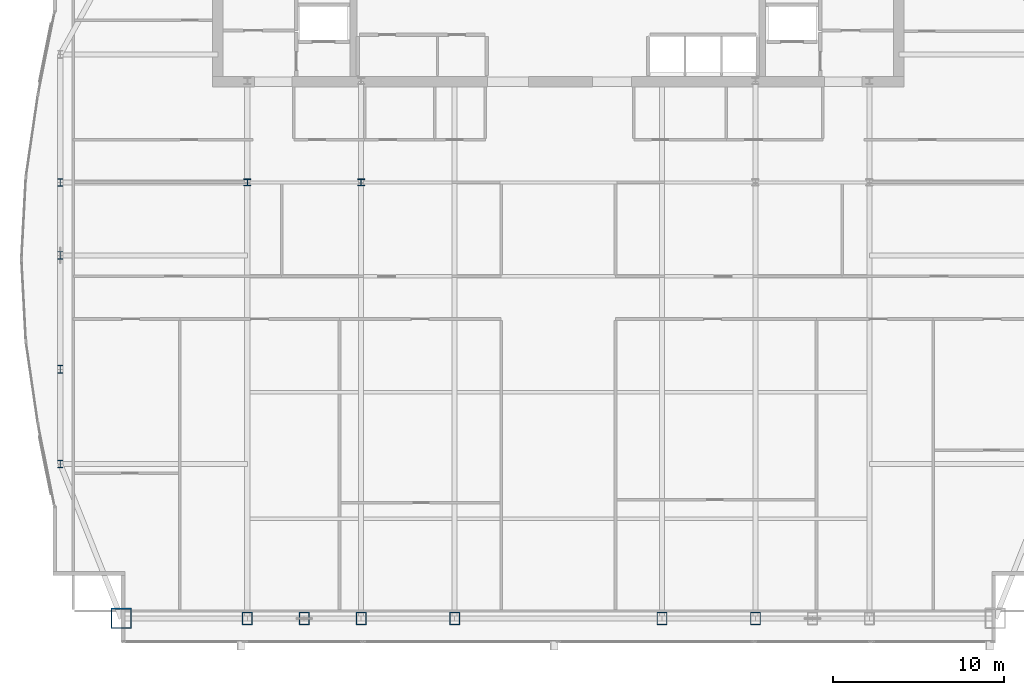
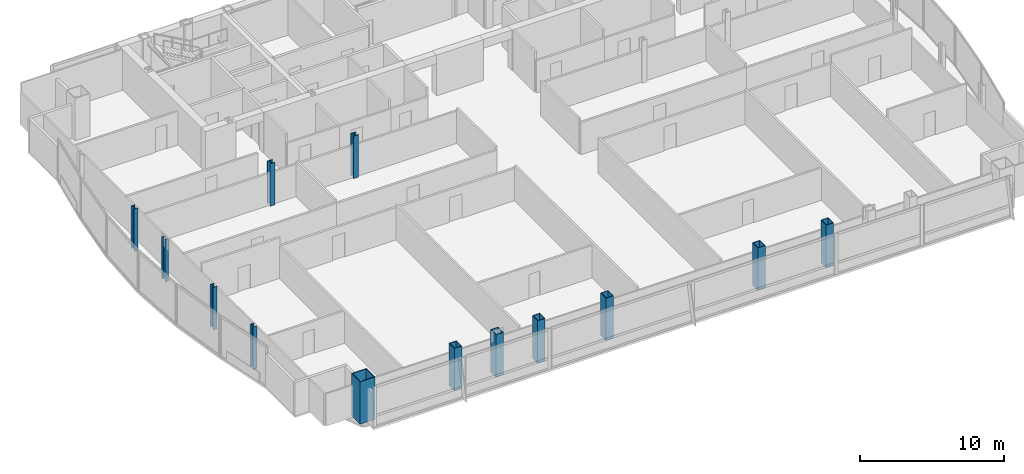
# One storey, part 1 of 30: 13 columns.
"""IFC4 building model written with IfcOpenShell, lengths in metres."""

from ifc_helpers import new_model, si_unit, direction, frame, origin, origin_2d, place, context, subcontext, project, spatial, hollow_rectangle, i_section, extrude, material, material_profile, profile_set, type_object, element, save


model = new_model("IFC4")

# Units and contexts
model_context = context("Model", 3, precision=1e-05, world=origin(), true_north=direction((0.0, 1.0)))
body_context = subcontext(model_context, "Body", "Model", "MODEL_VIEW")
ifc_project = project(units=[si_unit("LENGTHUNIT", "METRE"), si_unit("AREAUNIT", "SQUARE_METRE"), si_unit("VOLUMEUNIT", "CUBIC_METRE"), si_unit("PLANEANGLEUNIT", "RADIAN"), si_unit("MASSUNIT", "GRAM", prefix="KILO")], contexts=[model_context])

# Site, building, storey
site_placement = place(None, origin())
site = spatial("IfcSite", under=ifc_project, at=site_placement, CompositionType="ELEMENT")
building_placement = place(site_placement, origin())
building = spatial("IfcBuilding", under=site, at=building_placement, Name="Khoronbel Lancet Exchange", CompositionType="ELEMENT")
storey_placement = place(building_placement, frame((0.0, 0.0, 206.60009765625)))
storey = spatial("IfcBuildingStorey", under=building, at=storey_placement, Name="L52", CompositionType="ELEMENT", Elevation=206.60009765625)

# Columns
ifc_material_1 = material(Name="Steel S460", Category="steel")
ifc_material_profile_1 = material_profile(ifc_material_1, hollow_rectangle(XDim=0.60009765625, YDim=0.75, WallThickness=0.044921875, at=origin_2d()), Name="BOX 750x600x45")
ifc_profile_set_1 = profile_set([ifc_material_profile_1], Name="Steel S460")
column_type_1 = type_object("IfcColumnType", Name="COL-EC3", PredefinedType="COLUMN", material=ifc_profile_set_1)
for number, where, z_axis, x_axis, name in (
    (1, (18.22509765625, 10.14990234375, 0.0), (0.0, 0.0, 1.0), (1.0, 0.0, 0.0), "Structural column SC-W1 L52"),
    (2, (21.5625, 10.14990234375, 0.0), (0.0, 0.0, 1.0), (1.0, 0.0, 0.0), "Structural column SC-WM L52"),
    (3, (24.89990234375, 10.14990234375, 0.0), (0.0, 0.0, 1.0), (1.0, 0.0, 0.0), "Structural column SC-W2 L52"),
    (4, (30.375, 10.14990234375, 0.0), (0.0, 0.0, 1.0), (1.0, 0.0, 0.0), "Structural column SC-C1 L52"),
    (5, (42.52490234375, 10.14990234375, 0.0), (0.0, 0.0, 1.0), (1.0, 0.0, 0.0), "Structural column SC-C2 L52"),
    (6, (48.0, 10.14990234375, 0.0), (0.0, 0.0, 1.0), (1.0, 0.0, 0.0), "Structural column SC-E1 L52"),
):
    element("IfcColumn", number, at=place(storey_placement, frame(where, z_axis=z_axis, x_axis=x_axis)), inside=storey, type_object=column_type_1, Name=name, PredefinedType="COLUMN", context=body_context, shape_type="SweptSolid", body=[
        extrude(hollow_rectangle(XDim=0.60009765625, YDim=0.75, WallThickness=0.044921875, at=origin_2d()), origin(), (0.0, 0.0, 1.0), 3.599853515625),
    ])
ifc_material_2 = material(Name="Steel S355", Category="steel")
ifc_material_profile_2 = material_profile(ifc_material_2, i_section(OverallWidth=0.406005859375, OverallDepth=0.416015625, WebThickness=0.02978515625, FlangeThickness=0.048095703125, at=origin_2d()), Name="HD 400x382")
ifc_profile_set_2 = profile_set([ifc_material_profile_2], Name="Steel S355")
column_type_2 = type_object("IfcColumnType", Name="COL-IC3", PredefinedType="COLUMN", material=ifc_profile_set_2)
for number, where, z_axis, x_axis, name in (
    (7, (18.22509765625, 35.699951171875, 0.0), (0.0, 0.0, 1.0), (1.0, 0.0, 0.0), "Spine gravity column TC1 L52"),
    (8, (24.89990234375, 35.699951171875, 0.0), (0.0, 0.0, 1.0), (1.0, 0.0, 0.0), "Spine gravity column TC2 L52"),
):
    element("IfcColumn", number, at=place(storey_placement, frame(where, z_axis=z_axis, x_axis=x_axis)), inside=storey, type_object=column_type_2, Name=name, PredefinedType="COLUMN", context=body_context, shape_type="SweptSolid", body=[
        extrude(i_section(OverallWidth=0.406005859375, OverallDepth=0.416015625, WebThickness=0.02978515625, FlangeThickness=0.048095703125, at=origin_2d()), origin(), (0.0, 0.0, 1.0), 3.599853515625),
    ])
ifc_material_profile_3 = material_profile(ifc_material_2, i_section(OverallWidth=0.300048828125, OverallDepth=0.449951171875, WebThickness=0.013916015625, FlangeThickness=0.02587890625, at=origin_2d()), Name="HEB 450")
ifc_profile_set_3 = profile_set([ifc_material_profile_3], Name="Steel S355")
column_type_3 = type_object("IfcColumnType", Name="COL-LC2", PredefinedType="COLUMN", material=ifc_profile_set_3)
for number, where, z_axis, x_axis, name in (
    (9, (7.27001953125, 19.199951171875, 0.0), (0.0, 0.0, 1.0), (1.0, 0.0, 0.0), "Structural column WC-1 L52"),
    (10, (7.27001953125, 24.75, 0.0), (0.0, 0.0, 1.0), (1.0, 0.0, 0.0), "Structural column WC-2 L52"),
    (11, (7.27001953125, 31.425048828125, 0.0), (0.0, 0.0, 1.0), (1.0, 0.0, 0.0), "Structural column WC-M L52"),
    (12, (7.27001953125, 35.699951171875, 0.0), (0.0, 0.0, 1.0), (1.0, 0.0, 0.0), "Structural column WC-3 L52"),
):
    element("IfcColumn", number, at=place(storey_placement, frame(where, z_axis=z_axis, x_axis=x_axis)), inside=storey, type_object=column_type_3, Name=name, PredefinedType="COLUMN", context=body_context, shape_type="SweptSolid", body=[
        extrude(i_section(OverallWidth=0.300048828125, OverallDepth=0.449951171875, WebThickness=0.013916015625, FlangeThickness=0.02587890625, at=origin_2d()), origin(), (0.0, 0.0, 1.0), 3.599853515625),
    ])
ifc_material_profile_4 = material_profile(ifc_material_1, hollow_rectangle(XDim=1.199951171875, YDim=1.199951171875, WallThickness=0.06005859375, at=origin_2d()), Name="BOX 1200x1200x60")
ifc_profile_set_4 = profile_set([ifc_material_profile_4], Name="Steel S460")
column_type_4 = type_object("IfcColumnType", Name="COL-MC5", PredefinedType="COLUMN", material=ifc_profile_set_4)
column_placement = place(storey_placement, frame((10.85009765625, 10.14990234375, 0.0), z_axis=(0.0, 0.0, 1.0), x_axis=(1.0, 0.0, 0.0)))
element("IfcColumn", 13, at=column_placement, inside=storey, type_object=column_type_4, Name="Structural column MC-SW L52", PredefinedType="COLUMN", context=body_context, shape_type="SweptSolid", body=[
    extrude(hollow_rectangle(XDim=1.199951171875, YDim=1.199951171875, WallThickness=0.06005859375, at=origin_2d()), origin(), (0.0, 0.0, 1.0), 3.599853515625),
])

save(model, "model.ifc")
